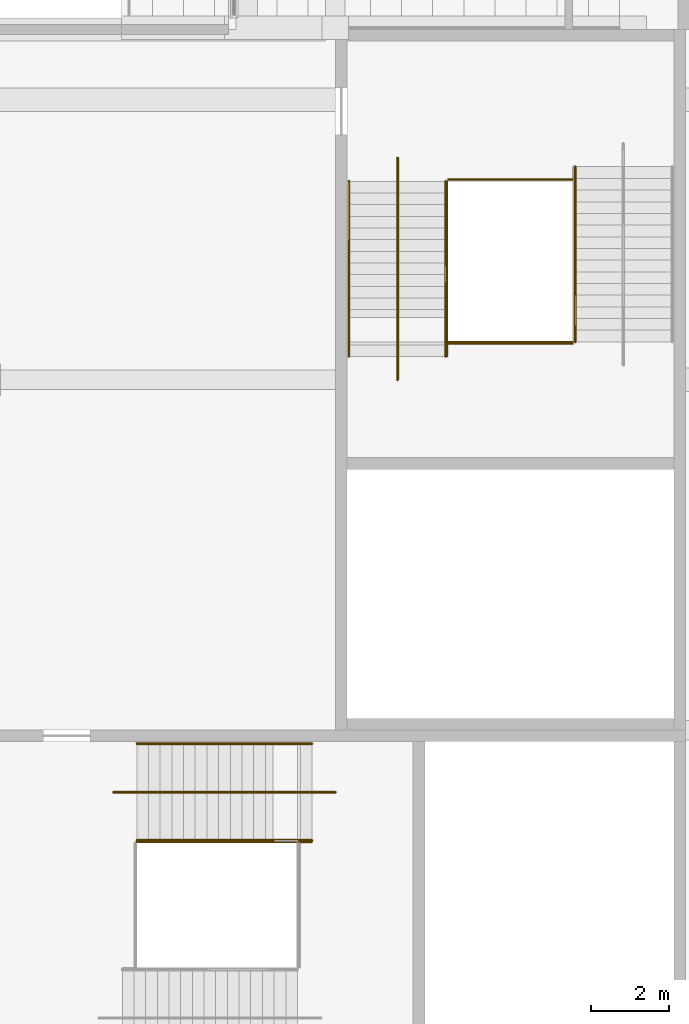
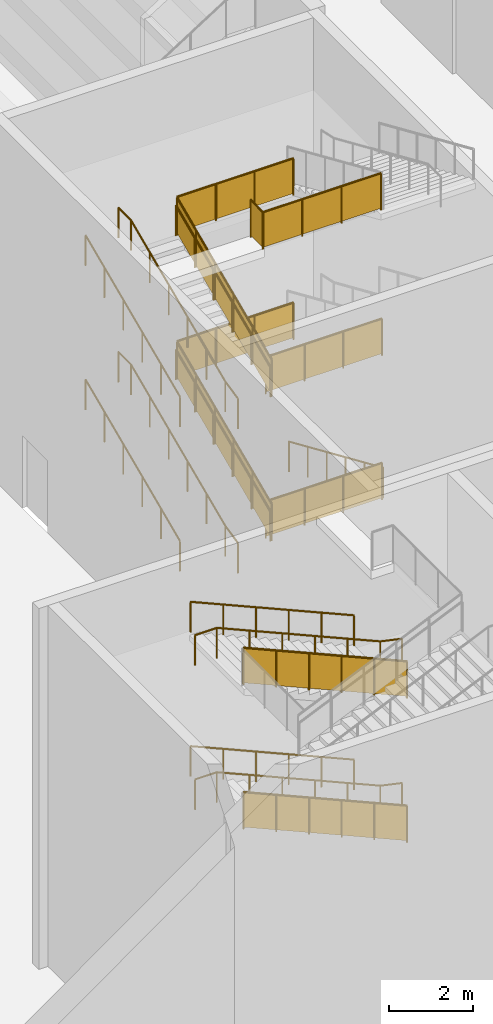
# One storey, part 160 of 182: 21 railings.
"""IFC4 building model written with IfcOpenShell, lengths in metres."""

from ifc_helpers import new_model, si_unit, direction, frame, origin, origin_2d, place, context, subcontext, project, spatial, polyline, circle, outline, extrude, material, type_object, element, save


model = new_model("IFC4")

# Units and contexts
model_context = context("Model", 3, precision=1e-05, world=origin(), true_north=direction((0.0, 1.0)))
body_context = subcontext(model_context, "Body", "Model", "MODEL_VIEW")
ifc_project = project(units=[si_unit("LENGTHUNIT", "METRE"), si_unit("AREAUNIT", "SQUARE_METRE"), si_unit("VOLUMEUNIT", "CUBIC_METRE"), si_unit("PLANEANGLEUNIT", "RADIAN"), si_unit("MASSUNIT", "GRAM", prefix="KILO")], contexts=[model_context])

# Site, building, storey
site_placement = place(None, origin())
site = spatial("IfcSite", under=ifc_project, at=site_placement, CompositionType="ELEMENT")
building_placement = place(site_placement, origin())
building = spatial("IfcBuilding", under=site, at=building_placement, Name="Silverbay Arena", CompositionType="ELEMENT")
storey_placement = place(building_placement, frame((0.0, 0.0, 11.5)))
storey = spatial("IfcBuildingStorey", under=building, at=storey_placement, Name="L02", CompositionType="ELEMENT", Elevation=11.5)

# Railings
ifc_material_1 = material(Name="Stainless steel", Category="steel")
railing_type_1 = type_object("IfcRailingType", Name="Stair guard 1100", PredefinedType="GUARDRAIL", material=ifc_material_1)
railing_1_placement = place(storey_placement, frame((179.39990234375, 42.125, 2.231201171875)))
element("IfcRailing", 1, at=railing_1_placement, inside=storey, type_object=railing_type_1, Name="Stair ST-SE1 L02 to L03 flight 2 guard right", PredefinedType="GUARDRAIL", context=body_context, shape_type="SweptSolid", body=[
    extrude(circle(Radius=0.02392578125, at=origin_2d()), frame((0.0, 0.0, 1.076171875), z_axis=(-0.916157334902, 0.0, 0.40081883402), x_axis=(0.0, -1.0, 0.0)), (0.0, 0.0, 1.0), 4.911865234375),
    extrude(outline(polyline([(-0.008056640625, 0.04638671875), (0.907958984375, 0.447265625), (0.907958984375, 1.4501953125), (-0.008056640625, 1.049560546875), (-0.008056640625, 0.04638671875)])), frame((0.0, -0.0029296875, 0.0), z_axis=(0.0, 1.0, 0.0), x_axis=(-1.0, 0.0, 0.0)), (0.0, 0.0, 1.0), 0.006103515625),
    extrude(outline(polyline([(-0.008056640625, 0.440185546875), (0.907958984375, 0.841064453125), (0.907958984375, 1.843994140625), (-0.008056640625, 1.443359375), (-0.008056640625, 0.440185546875)])), frame((-0.89990234375, -0.0029296875, 0.0), z_axis=(0.0, 1.0, 0.0), x_axis=(-1.0, 0.0, 0.0)), (0.0, 0.0, 1.0), 0.006103515625),
    extrude(outline(polyline([(-0.008056640625, 0.833984375), (0.907958984375, 1.23486328125), (0.907958984375, 2.23779296875), (-0.008056640625, 1.8369140625), (-0.008056640625, 0.833984375)])), frame((-1.800048828125, -0.0029296875, 0.0), z_axis=(0.0, 1.0, 0.0), x_axis=(-1.0, 0.0, 0.0)), (0.0, 0.0, 1.0), 0.006103515625),
    extrude(outline(polyline([(-0.008056640625, 1.227783203125), (0.907958984375, 1.62841796875), (0.907958984375, 2.631591796875), (-0.008056640625, 2.230712890625), (-0.008056640625, 1.227783203125)])), frame((-2.699951171875, -0.0029296875, 0.0), z_axis=(0.0, 1.0, 0.0), x_axis=(-1.0, 0.0, 0.0)), (0.0, 0.0, 1.0), 0.006103515625),
    extrude(outline(polyline([(-0.008056640625, 1.62158203125), (0.907958984375, 2.022216796875), (0.907958984375, 3.025146484375), (-0.008056640625, 2.62451171875), (-0.008056640625, 1.62158203125)])), frame((-3.60009765625, -0.0029296875, 0.0), z_axis=(0.0, 1.0, 0.0), x_axis=(-1.0, 0.0, 0.0)), (0.0, 0.0, 1.0), 0.006103515625),
    extrude(circle(Radius=0.02099609375, at=origin_2d()), origin(), (0.0, 0.0, 1.0), 1.052001953125),
    extrude(circle(Radius=0.02099609375, at=origin_2d()), frame((-0.89990234375, 0.0, 0.393798828125)), (0.0, 0.0, 1.0), 1.052001953125),
    extrude(circle(Radius=0.02099609375, at=origin_2d()), frame((-1.800048828125, 0.0, 0.78759765625)), (0.0, 0.0, 1.0), 1.052001953125),
    extrude(circle(Radius=0.02099609375, at=origin_2d()), frame((-2.699951171875, 0.0, 1.18115234375)), (0.0, 0.0, 1.0), 1.052001953125),
    extrude(circle(Radius=0.02099609375, at=origin_2d()), frame((-3.60009765625, 0.0, 1.574951171875)), (0.0, 0.0, 1.0), 1.052001953125),
    extrude(circle(Radius=0.02099609375, at=origin_2d()), frame((-4.5, 0.0, 1.96875)), (0.0, 0.0, 1.0), 1.052001953125),
])
railing_2_placement = place(storey_placement, frame((179.39990234375, 42.125, 6.43115234375)))
element("IfcRailing", 2, at=railing_2_placement, inside=storey, type_object=railing_type_1, Name="Stair ST-SE1 L02 to L03 flight 4 guard right", PredefinedType="GUARDRAIL", context=body_context, shape_type="SweptSolid", body=[
    extrude(circle(Radius=0.02392578125, at=origin_2d()), frame((0.0, 0.0, 1.076171875), z_axis=(-0.916157334902, 0.0, 0.40081883402), x_axis=(0.0, -1.0, 0.0)), (0.0, 0.0, 1.0), 4.911865234375),
    extrude(outline(polyline([(-0.008056640625, 0.04638671875), (0.907958984375, 0.447265625), (0.907958984375, 1.4501953125), (-0.008056640625, 1.049560546875), (-0.008056640625, 0.04638671875)])), frame((0.0, -0.0029296875, 0.0), z_axis=(0.0, 1.0, 0.0), x_axis=(-1.0, 0.0, 0.0)), (0.0, 0.0, 1.0), 0.006103515625),
    extrude(outline(polyline([(-0.008056640625, 0.440185546875), (0.907958984375, 0.841064453125), (0.907958984375, 1.843994140625), (-0.008056640625, 1.443359375), (-0.008056640625, 0.440185546875)])), frame((-0.89990234375, -0.0029296875, 0.0), z_axis=(0.0, 1.0, 0.0), x_axis=(-1.0, 0.0, 0.0)), (0.0, 0.0, 1.0), 0.006103515625),
    extrude(outline(polyline([(-0.008056640625, 0.833984375), (0.907958984375, 1.23486328125), (0.907958984375, 2.23779296875), (-0.008056640625, 1.8369140625), (-0.008056640625, 0.833984375)])), frame((-1.800048828125, -0.0029296875, 0.0), z_axis=(0.0, 1.0, 0.0), x_axis=(-1.0, 0.0, 0.0)), (0.0, 0.0, 1.0), 0.006103515625),
    extrude(outline(polyline([(-0.008056640625, 1.227783203125), (0.907958984375, 1.62841796875), (0.907958984375, 2.631591796875), (-0.008056640625, 2.230712890625), (-0.008056640625, 1.227783203125)])), frame((-2.699951171875, -0.0029296875, 0.0), z_axis=(0.0, 1.0, 0.0), x_axis=(-1.0, 0.0, 0.0)), (0.0, 0.0, 1.0), 0.006103515625),
    extrude(outline(polyline([(-0.008056640625, 1.62158203125), (0.907958984375, 2.022216796875), (0.907958984375, 3.025146484375), (-0.008056640625, 2.62451171875), (-0.008056640625, 1.62158203125)])), frame((-3.60009765625, -0.0029296875, 0.0), z_axis=(0.0, 1.0, 0.0), x_axis=(-1.0, 0.0, 0.0)), (0.0, 0.0, 1.0), 0.006103515625),
    extrude(circle(Radius=0.02099609375, at=origin_2d()), origin(), (0.0, 0.0, 1.0), 1.052001953125),
    extrude(circle(Radius=0.02099609375, at=origin_2d()), frame((-0.89990234375, 0.0, 0.393798828125)), (0.0, 0.0, 1.0), 1.052001953125),
    extrude(circle(Radius=0.02099609375, at=origin_2d()), frame((-1.800048828125, 0.0, 0.78759765625)), (0.0, 0.0, 1.0), 1.052001953125),
    extrude(circle(Radius=0.02099609375, at=origin_2d()), frame((-2.699951171875, 0.0, 1.18115234375)), (0.0, 0.0, 1.0), 1.052001953125),
    extrude(circle(Radius=0.02099609375, at=origin_2d()), frame((-3.60009765625, 0.0, 1.574951171875)), (0.0, 0.0, 1.0), 1.052001953125),
    extrude(circle(Radius=0.02099609375, at=origin_2d()), frame((-4.5, 0.0, 1.96875)), (0.0, 0.0, 1.0), 1.052001953125),
])
railing_3_placement = place(storey_placement, frame((182.875, 54.60009765625, 2.231201171875)))
element("IfcRailing", 3, at=railing_3_placement, inside=storey, type_object=railing_type_1, Name="Stair ST-SE2 L02 to L03 flight 2 guard right", PredefinedType="GUARDRAIL", context=body_context, shape_type="SweptSolid", body=[
    extrude(circle(Radius=0.02392578125, at=origin_2d()), frame((0.0, 0.0, 1.076171875), z_axis=(0.0, 0.916157334902, 0.40081883402), x_axis=(-1.0, 0.0, 0.0)), (0.0, 0.0, 1.0), 4.911865234375),
    extrude(outline(polyline([(-0.008056640625, 0.04638671875), (0.907958984375, 0.447265625), (0.907958984375, 1.4501953125), (-0.008056640625, 1.049560546875), (-0.008056640625, 0.04638671875)])), frame((-0.0029296875, 0.0, 0.0), z_axis=(1.0, 0.0, 0.0), x_axis=(0.0, 1.0, 0.0)), (0.0, 0.0, 1.0), 0.006103515625),
    extrude(outline(polyline([(-0.008056640625, 0.440185546875), (0.907958984375, 0.841064453125), (0.907958984375, 1.843994140625), (-0.008056640625, 1.443359375), (-0.008056640625, 0.440185546875)])), frame((-0.0029296875, 0.89990234375, 0.0), z_axis=(1.0, 0.0, 0.0), x_axis=(0.0, 1.0, 0.0)), (0.0, 0.0, 1.0), 0.006103515625),
    extrude(outline(polyline([(-0.008056640625, 0.833984375), (0.907958984375, 1.23486328125), (0.907958984375, 2.23779296875), (-0.008056640625, 1.8369140625), (-0.008056640625, 0.833984375)])), frame((-0.0029296875, 1.800048828125, 0.0), z_axis=(1.0, 0.0, 0.0), x_axis=(0.0, 1.0, 0.0)), (0.0, 0.0, 1.0), 0.006103515625),
    extrude(outline(polyline([(-0.008056640625, 1.227783203125), (0.907958984375, 1.62841796875), (0.907958984375, 2.631591796875), (-0.008056640625, 2.230712890625), (-0.008056640625, 1.227783203125)])), frame((-0.0029296875, 2.699951171875, 0.0), z_axis=(1.0, 0.0, 0.0), x_axis=(0.0, 1.0, 0.0)), (0.0, 0.0, 1.0), 0.006103515625),
    extrude(outline(polyline([(-0.008056640625, 1.62158203125), (0.907958984375, 2.022216796875), (0.907958984375, 3.025146484375), (-0.008056640625, 2.62451171875), (-0.008056640625, 1.62158203125)])), frame((-0.0029296875, 3.60009765625, 0.0), z_axis=(1.0, 0.0, 0.0), x_axis=(0.0, 1.0, 0.0)), (0.0, 0.0, 1.0), 0.006103515625),
    extrude(circle(Radius=0.02099609375, at=origin_2d()), origin(), (0.0, 0.0, 1.0), 1.052001953125),
    extrude(circle(Radius=0.02099609375, at=origin_2d()), frame((0.0, 0.89990234375, 0.393798828125)), (0.0, 0.0, 1.0), 1.052001953125),
    extrude(circle(Radius=0.02099609375, at=origin_2d()), frame((0.0, 1.800048828125, 0.78759765625)), (0.0, 0.0, 1.0), 1.052001953125),
    extrude(circle(Radius=0.02099609375, at=origin_2d()), frame((0.0, 2.699951171875, 1.18115234375)), (0.0, 0.0, 1.0), 1.052001953125),
    extrude(circle(Radius=0.02099609375, at=origin_2d()), frame((0.0, 3.60009765625, 1.574951171875)), (0.0, 0.0, 1.0), 1.052001953125),
    extrude(circle(Radius=0.02099609375, at=origin_2d()), frame((0.0, 4.5, 1.96875)), (0.0, 0.0, 1.0), 1.052001953125),
])
railing_4_placement = place(storey_placement, frame((182.875, 54.60009765625, 6.43115234375)))
element("IfcRailing", 4, at=railing_4_placement, inside=storey, type_object=railing_type_1, Name="Stair ST-SE2 L02 to L03 flight 4 guard right", PredefinedType="GUARDRAIL", context=body_context, shape_type="SweptSolid", body=[
    extrude(circle(Radius=0.02392578125, at=origin_2d()), frame((0.0, 0.0, 1.076171875), z_axis=(0.0, 0.916157334902, 0.40081883402), x_axis=(-1.0, 0.0, 0.0)), (0.0, 0.0, 1.0), 4.911865234375),
    extrude(outline(polyline([(-0.008056640625, 0.04638671875), (0.907958984375, 0.447265625), (0.907958984375, 1.4501953125), (-0.008056640625, 1.049560546875), (-0.008056640625, 0.04638671875)])), frame((-0.0029296875, 0.0, 0.0), z_axis=(1.0, 0.0, 0.0), x_axis=(0.0, 1.0, 0.0)), (0.0, 0.0, 1.0), 0.006103515625),
    extrude(outline(polyline([(-0.008056640625, 0.440185546875), (0.907958984375, 0.841064453125), (0.907958984375, 1.843994140625), (-0.008056640625, 1.443359375), (-0.008056640625, 0.440185546875)])), frame((-0.0029296875, 0.89990234375, 0.0), z_axis=(1.0, 0.0, 0.0), x_axis=(0.0, 1.0, 0.0)), (0.0, 0.0, 1.0), 0.006103515625),
    extrude(outline(polyline([(-0.008056640625, 0.833984375), (0.907958984375, 1.23486328125), (0.907958984375, 2.23779296875), (-0.008056640625, 1.8369140625), (-0.008056640625, 0.833984375)])), frame((-0.0029296875, 1.800048828125, 0.0), z_axis=(1.0, 0.0, 0.0), x_axis=(0.0, 1.0, 0.0)), (0.0, 0.0, 1.0), 0.006103515625),
    extrude(outline(polyline([(-0.008056640625, 1.227783203125), (0.907958984375, 1.62841796875), (0.907958984375, 2.631591796875), (-0.008056640625, 2.230712890625), (-0.008056640625, 1.227783203125)])), frame((-0.0029296875, 2.699951171875, 0.0), z_axis=(1.0, 0.0, 0.0), x_axis=(0.0, 1.0, 0.0)), (0.0, 0.0, 1.0), 0.006103515625),
    extrude(outline(polyline([(-0.008056640625, 1.62158203125), (0.907958984375, 2.022216796875), (0.907958984375, 3.025146484375), (-0.008056640625, 2.62451171875), (-0.008056640625, 1.62158203125)])), frame((-0.0029296875, 3.60009765625, 0.0), z_axis=(1.0, 0.0, 0.0), x_axis=(0.0, 1.0, 0.0)), (0.0, 0.0, 1.0), 0.006103515625),
    extrude(circle(Radius=0.02099609375, at=origin_2d()), origin(), (0.0, 0.0, 1.0), 1.052001953125),
    extrude(circle(Radius=0.02099609375, at=origin_2d()), frame((0.0, 0.89990234375, 0.393798828125)), (0.0, 0.0, 1.0), 1.052001953125),
    extrude(circle(Radius=0.02099609375, at=origin_2d()), frame((0.0, 1.800048828125, 0.78759765625)), (0.0, 0.0, 1.0), 1.052001953125),
    extrude(circle(Radius=0.02099609375, at=origin_2d()), frame((0.0, 2.699951171875, 1.18115234375)), (0.0, 0.0, 1.0), 1.052001953125),
    extrude(circle(Radius=0.02099609375, at=origin_2d()), frame((0.0, 3.60009765625, 1.574951171875)), (0.0, 0.0, 1.0), 1.052001953125),
    extrude(circle(Radius=0.02099609375, at=origin_2d()), frame((0.0, 4.5, 1.96875)), (0.0, 0.0, 1.0), 1.052001953125),
])
for number, where, name in (
    (5, (182.89990234375, 54.92431640625, 2.10009765625), "Stair ST-SE2 L02 to L03 landing 1 guard"),
    (6, (182.89990234375, 59.14990234375, 4.199951171875), "Stair ST-SE2 L02 to L03 landing 2 guard"),
    (7, (182.89990234375, 54.92431640625, 6.300048828125), "Stair ST-SE2 L02 to L03 landing 3 guard"),
    (8, (182.89990234375, 59.14990234375, 8.39990234375), "Stair ST-SE2 L02 to L03 landing 4 guard"),
):
    element("IfcRailing", number, at=place(storey_placement, frame(where)), inside=storey, type_object=railing_type_1, Name=name, PredefinedType="GUARDRAIL", context=body_context, shape_type="SweptSolid", body=[
        extrude(circle(Radius=0.02392578125, at=origin_2d()), frame((0.0, 0.0, 1.076171875), z_axis=(1.0, 0.0, 0.0), x_axis=(0.0, 1.0, 0.0)), (0.0, 0.0, 1.0), 3.2001953125),
        extrude(outline(polyline([(-0.008056640625, 0.050048828125), (1.07470703125, 0.050048828125), (1.07470703125, 1.052978515625), (-0.008056640625, 1.052978515625), (-0.008056640625, 0.050048828125)])), frame((0.0, 0.0029296875, 0.0), z_axis=(0.0, -1.0, 0.0), x_axis=(1.0, 0.0, 0.0)), (0.0, 0.0, 1.0), 0.006103515625),
        extrude(outline(polyline([(-0.008056640625, 0.050048828125), (1.07470703125, 0.050048828125), (1.07470703125, 1.052978515625), (-0.008056640625, 1.052978515625), (-0.008056640625, 0.050048828125)])), frame((1.066650390625, 0.0029296875, 0.0), z_axis=(0.0, -1.0, 0.0), x_axis=(1.0, 0.0, 0.0)), (0.0, 0.0, 1.0), 0.006103515625),
        extrude(outline(polyline([(-0.008056640625, 0.050048828125), (1.07470703125, 0.050048828125), (1.07470703125, 1.052978515625), (-0.008056640625, 1.052978515625), (-0.008056640625, 0.050048828125)])), frame((2.133544921875, 0.0029296875, 0.0), z_axis=(0.0, -1.0, 0.0), x_axis=(1.0, 0.0, 0.0)), (0.0, 0.0, 1.0), 0.006103515625),
        extrude(circle(Radius=0.02099609375, at=origin_2d()), origin(), (0.0, 0.0, 1.0), 1.052001953125),
        extrude(circle(Radius=0.02099609375, at=origin_2d()), frame((1.066650390625, 0.0, 0.0)), (0.0, 0.0, 1.0), 1.052001953125),
        extrude(circle(Radius=0.02099609375, at=origin_2d()), frame((2.133544921875, 0.0, 0.0)), (0.0, 0.0, 1.0), 1.052001953125),
        extrude(circle(Radius=0.02099609375, at=origin_2d()), frame((3.2001953125, 0.0, 0.0)), (0.0, 0.0, 1.0), 1.052001953125),
    ])
railing_5_placement = place(storey_placement, frame((182.85009765625, 55.550048828125, 10.5)))
element("IfcRailing", 9, at=railing_5_placement, inside=storey, type_object=railing_type_1, Name="Stair ST-SE2 L02 to L03 landing 5 guard", PredefinedType="GUARDRAIL", context=body_context, shape_type="SweptSolid", body=[
    extrude(circle(Radius=0.02392578125, at=origin_2d()), frame((0.0, 0.0, 1.076171875), z_axis=(0.0, -1.0, 0.0), x_axis=(1.0, 0.0, 0.0)), (0.0, 0.0, 1.0), 0.575927734375),
    extrude(outline(polyline([(-0.008056640625, 0.050048828125), (0.583984375, 0.050048828125), (0.583984375, 1.052978515625), (-0.008056640625, 1.052978515625), (-0.008056640625, 0.050048828125)])), frame((0.0029296875, 0.0, 0.0), z_axis=(-1.0, 0.0, 0.0), x_axis=(0.0, -1.0, 0.0)), (0.0, 0.0, 1.0), 0.006103515625),
    extrude(circle(Radius=0.02392578125, at=origin_2d()), frame((0.0, -0.575927734375, 1.076171875), z_axis=(1.0, 0.0, 0.0), x_axis=(0.0, 1.0, 0.0)), (0.0, 0.0, 1.0), 3.25),
    extrude(outline(polyline([(-0.008056640625, 0.050048828125), (1.09130859375, 0.050048828125), (1.09130859375, 1.052978515625), (-0.008056640625, 1.052978515625), (-0.008056640625, 0.050048828125)])), frame((0.0, -0.572998046875, 0.0), z_axis=(0.0, -1.0, 0.0), x_axis=(1.0, 0.0, 0.0)), (0.0, 0.0, 1.0), 0.006103515625),
    extrude(outline(polyline([(-0.008056640625, 0.050048828125), (1.09130859375, 0.050048828125), (1.09130859375, 1.052978515625), (-0.008056640625, 1.052978515625), (-0.008056640625, 0.050048828125)])), frame((1.083251953125, -0.572998046875, 0.0), z_axis=(0.0, -1.0, 0.0), x_axis=(1.0, 0.0, 0.0)), (0.0, 0.0, 1.0), 0.006103515625),
    extrude(outline(polyline([(-0.008056640625, 0.050048828125), (1.09130859375, 0.050048828125), (1.09130859375, 1.052978515625), (-0.008056640625, 1.052978515625), (-0.008056640625, 0.050048828125)])), frame((2.166748046875, -0.572998046875, 0.0), z_axis=(0.0, -1.0, 0.0), x_axis=(1.0, 0.0, 0.0)), (0.0, 0.0, 1.0), 0.006103515625),
    extrude(circle(Radius=0.02099609375, at=origin_2d()), origin(), (0.0, 0.0, 1.0), 1.052001953125),
    extrude(circle(Radius=0.02099609375, at=origin_2d()), frame((0.0, -0.575927734375, 0.0)), (0.0, 0.0, 1.0), 1.052001953125),
    extrude(circle(Radius=0.02099609375, at=origin_2d()), frame((1.083251953125, -0.575927734375, 0.0)), (0.0, 0.0, 1.0), 1.052001953125),
    extrude(circle(Radius=0.02099609375, at=origin_2d()), frame((2.166748046875, -0.575927734375, 0.0)), (0.0, 0.0, 1.0), 1.052001953125),
    extrude(circle(Radius=0.02099609375, at=origin_2d()), frame((3.25, -0.575927734375, 0.0)), (0.0, 0.0, 1.0), 1.052001953125),
])
ifc_material_2 = material(Name="Stainless steel", Category="steel")
railing_type_2 = type_object("IfcRailingType", Name="Stair handrail 900", PredefinedType="HANDRAIL", material=ifc_material_2)
railing_6_placement = place(storey_placement, frame((179.39990234375, 44.64990234375, 2.231201171875)))
element("IfcRailing", 10, at=railing_6_placement, inside=storey, type_object=railing_type_2, Name="Stair ST-SE1 L02 to L03 flight 2 handrail left", PredefinedType="HANDRAIL", context=body_context, shape_type="SweptSolid", body=[
    extrude(circle(Radius=0.02392578125, at=origin_2d()), frame((0.0, 0.0, 0.8759765625), z_axis=(-0.916157334902, 0.0, 0.40081883402), x_axis=(0.0, -1.0, 0.0)), (0.0, 0.0, 1.0), 4.911865234375),
    extrude(circle(Radius=0.02099609375, at=origin_2d()), origin(), (0.0, 0.0, 1.0), 0.851806640625),
    extrude(circle(Radius=0.02099609375, at=origin_2d()), frame((-0.89990234375, 0.0, 0.393798828125)), (0.0, 0.0, 1.0), 0.851806640625),
    extrude(circle(Radius=0.02099609375, at=origin_2d()), frame((-1.800048828125, 0.0, 0.78759765625)), (0.0, 0.0, 1.0), 0.851806640625),
    extrude(circle(Radius=0.02099609375, at=origin_2d()), frame((-2.699951171875, 0.0, 1.18115234375)), (0.0, 0.0, 1.0), 0.851806640625),
    extrude(circle(Radius=0.02099609375, at=origin_2d()), frame((-3.60009765625, 0.0, 1.574951171875)), (0.0, 0.0, 1.0), 0.851806640625),
    extrude(circle(Radius=0.02099609375, at=origin_2d()), frame((-4.5, 0.0, 1.96875)), (0.0, 0.0, 1.0), 0.851806640625),
])
railing_7_placement = place(storey_placement, frame((180.0, 43.39990234375, 2.10009765625)))
element("IfcRailing", 11, at=railing_7_placement, inside=storey, type_object=railing_type_2, Name="Stair ST-SE1 L02 to L03 flight 2 central handrail", PredefinedType="HANDRAIL", context=body_context, shape_type="SweptSolid", body=[
    extrude(circle(Radius=0.02392578125, at=origin_2d()), frame((0.0, 0.0, 0.8759765625), z_axis=(-0.976957027196, 0.0, 0.213436095852), x_axis=(0.0, -1.0, 0.0)), (0.0, 0.0, 1.0), 0.6142578125),
    extrude(circle(Radius=0.02392578125, at=origin_2d()), frame((-0.60009765625, 0.0, 1.0068359375), z_axis=(-0.916157334902, 0.0, 0.40081883402), x_axis=(0.0, -1.0, 0.0)), (0.0, 0.0, 1.0), 4.911865234375),
    extrude(circle(Radius=0.02392578125, at=origin_2d()), frame((-5.10009765625, 0.0, 2.9755859375), z_axis=(-1.0, 0.0, 0.0), x_axis=(0.0, -1.0, 0.0)), (0.0, 0.0, 1.0), 0.599853515625),
    extrude(circle(Radius=0.02099609375, at=origin_2d()), origin(), (0.0, 0.0, 1.0), 0.851806640625),
    extrude(circle(Radius=0.02099609375, at=origin_2d()), frame((-0.60009765625, 0.0, 0.131103515625)), (0.0, 0.0, 1.0), 0.851806640625),
    extrude(circle(Radius=0.02099609375, at=origin_2d()), frame((-1.5, 0.0, 0.52490234375)), (0.0, 0.0, 1.0), 0.851806640625),
    extrude(circle(Radius=0.02099609375, at=origin_2d()), frame((-2.400146484375, 0.0, 0.918701171875)), (0.0, 0.0, 1.0), 0.851806640625),
    extrude(circle(Radius=0.02099609375, at=origin_2d()), frame((-3.300048828125, 0.0, 1.312255859375)), (0.0, 0.0, 1.0), 0.851806640625),
    extrude(circle(Radius=0.02099609375, at=origin_2d()), frame((-4.2001953125, 0.0, 1.7060546875)), (0.0, 0.0, 1.0), 0.851806640625),
    extrude(circle(Radius=0.02099609375, at=origin_2d()), frame((-5.10009765625, 0.0, 2.099853515625)), (0.0, 0.0, 1.0), 0.851806640625),
    extrude(circle(Radius=0.02099609375, at=origin_2d()), frame((-5.699951171875, 0.0, 2.099853515625)), (0.0, 0.0, 1.0), 0.851806640625),
])
for number, where, name in (
    (12, (179.39990234375, 44.64990234375, 6.43115234375), "Stair ST-SE1 L02 to L03 flight 4 handrail left"),
    (13, (179.39990234375, 42.1640625, 6.43115234375), "Stair ST-SE1 L02 to L03 flight 4 handrail right"),
):
    element("IfcRailing", number, at=place(storey_placement, frame(where)), inside=storey, type_object=railing_type_2, Name=name, PredefinedType="HANDRAIL", context=body_context, shape_type="SweptSolid", body=[
        extrude(circle(Radius=0.02392578125, at=origin_2d()), frame((0.0, 0.0, 0.8759765625), z_axis=(-0.916157334902, 0.0, 0.40081883402), x_axis=(0.0, -1.0, 0.0)), (0.0, 0.0, 1.0), 4.911865234375),
        extrude(circle(Radius=0.02099609375, at=origin_2d()), origin(), (0.0, 0.0, 1.0), 0.851806640625),
        extrude(circle(Radius=0.02099609375, at=origin_2d()), frame((-0.89990234375, 0.0, 0.393798828125)), (0.0, 0.0, 1.0), 0.851806640625),
        extrude(circle(Radius=0.02099609375, at=origin_2d()), frame((-1.800048828125, 0.0, 0.78759765625)), (0.0, 0.0, 1.0), 0.851806640625),
        extrude(circle(Radius=0.02099609375, at=origin_2d()), frame((-2.699951171875, 0.0, 1.18115234375)), (0.0, 0.0, 1.0), 0.851806640625),
        extrude(circle(Radius=0.02099609375, at=origin_2d()), frame((-3.60009765625, 0.0, 1.574951171875)), (0.0, 0.0, 1.0), 0.851806640625),
        extrude(circle(Radius=0.02099609375, at=origin_2d()), frame((-4.5, 0.0, 1.96875)), (0.0, 0.0, 1.0), 0.851806640625),
    ])
railing_8_placement = place(storey_placement, frame((180.0, 43.39990234375, 6.300048828125)))
element("IfcRailing", 14, at=railing_8_placement, inside=storey, type_object=railing_type_2, Name="Stair ST-SE1 L02 to L03 flight 4 central handrail", PredefinedType="HANDRAIL", context=body_context, shape_type="SweptSolid", body=[
    extrude(circle(Radius=0.02392578125, at=origin_2d()), frame((0.0, 0.0, 0.8759765625), z_axis=(-0.976957027196, 0.0, 0.213436095852), x_axis=(0.0, -1.0, 0.0)), (0.0, 0.0, 1.0), 0.6142578125),
    extrude(circle(Radius=0.02392578125, at=origin_2d()), frame((-0.60009765625, 0.0, 1.0068359375), z_axis=(-0.916157334902, 0.0, 0.40081883402), x_axis=(0.0, -1.0, 0.0)), (0.0, 0.0, 1.0), 4.911865234375),
    extrude(circle(Radius=0.02392578125, at=origin_2d()), frame((-5.10009765625, 0.0, 2.9755859375), z_axis=(-1.0, 0.0, 0.0), x_axis=(0.0, -1.0, 0.0)), (0.0, 0.0, 1.0), 0.599853515625),
    extrude(circle(Radius=0.02099609375, at=origin_2d()), origin(), (0.0, 0.0, 1.0), 0.851806640625),
    extrude(circle(Radius=0.02099609375, at=origin_2d()), frame((-0.60009765625, 0.0, 0.131103515625)), (0.0, 0.0, 1.0), 0.851806640625),
    extrude(circle(Radius=0.02099609375, at=origin_2d()), frame((-1.5, 0.0, 0.52490234375)), (0.0, 0.0, 1.0), 0.851806640625),
    extrude(circle(Radius=0.02099609375, at=origin_2d()), frame((-2.400146484375, 0.0, 0.918701171875)), (0.0, 0.0, 1.0), 0.851806640625),
    extrude(circle(Radius=0.02099609375, at=origin_2d()), frame((-3.300048828125, 0.0, 1.312255859375)), (0.0, 0.0, 1.0), 0.851806640625),
    extrude(circle(Radius=0.02099609375, at=origin_2d()), frame((-4.2001953125, 0.0, 1.7060546875)), (0.0, 0.0, 1.0), 0.851806640625),
    extrude(circle(Radius=0.02099609375, at=origin_2d()), frame((-5.10009765625, 0.0, 2.099853515625)), (0.0, 0.0, 1.0), 0.851806640625),
    extrude(circle(Radius=0.02099609375, at=origin_2d()), frame((-5.699951171875, 0.0, 2.099853515625)), (0.0, 0.0, 1.0), 0.851806640625),
])
railing_9_placement = place(storey_placement, frame((186.1640625, 59.47412109375, 0.13134765625)))
element("IfcRailing", 15, at=railing_9_placement, inside=storey, type_object=railing_type_2, Name="Stair ST-SE2 L02 to L03 flight 1 handrail left", PredefinedType="HANDRAIL", context=body_context, shape_type="SweptSolid", body=[
    extrude(circle(Radius=0.02392578125, at=origin_2d()), frame((0.0, 0.0, 0.8759765625), z_axis=(0.0, -0.916157334902, 0.40081883402), x_axis=(1.0, 0.0, 0.0)), (0.0, 0.0, 1.0), 4.911865234375),
    extrude(circle(Radius=0.02099609375, at=origin_2d()), origin(), (0.0, 0.0, 1.0), 0.851806640625),
    extrude(circle(Radius=0.02099609375, at=origin_2d()), frame((0.0, -0.89990234375, 0.393798828125)), (0.0, 0.0, 1.0), 0.851806640625),
    extrude(circle(Radius=0.02099609375, at=origin_2d()), frame((0.0, -1.800048828125, 0.78759765625)), (0.0, 0.0, 1.0), 0.851806640625),
    extrude(circle(Radius=0.02099609375, at=origin_2d()), frame((0.0, -2.699951171875, 1.18115234375)), (0.0, 0.0, 1.0), 0.851806640625),
    extrude(circle(Radius=0.02099609375, at=origin_2d()), frame((0.0, -3.60009765625, 1.574951171875)), (0.0, 0.0, 1.0), 0.851806640625),
    extrude(circle(Radius=0.02099609375, at=origin_2d()), frame((0.0, -4.5, 1.96875)), (0.0, 0.0, 1.0), 0.851806640625),
])
for number, where, name in (
    (16, (180.35009765625, 54.60009765625, 2.231201171875), "Stair ST-SE2 L02 to L03 flight 2 handrail left"),
    (17, (182.8359375, 54.60009765625, 2.231201171875), "Stair ST-SE2 L02 to L03 flight 2 handrail right"),
):
    element("IfcRailing", number, at=place(storey_placement, frame(where)), inside=storey, type_object=railing_type_2, Name=name, PredefinedType="HANDRAIL", context=body_context, shape_type="SweptSolid", body=[
        extrude(circle(Radius=0.02392578125, at=origin_2d()), frame((0.0, 0.0, 0.8759765625), z_axis=(0.0, 0.916157334902, 0.40081883402), x_axis=(-1.0, 0.0, 0.0)), (0.0, 0.0, 1.0), 4.911865234375),
        extrude(circle(Radius=0.02099609375, at=origin_2d()), origin(), (0.0, 0.0, 1.0), 0.851806640625),
        extrude(circle(Radius=0.02099609375, at=origin_2d()), frame((0.0, 0.89990234375, 0.393798828125)), (0.0, 0.0, 1.0), 0.851806640625),
        extrude(circle(Radius=0.02099609375, at=origin_2d()), frame((0.0, 1.800048828125, 0.78759765625)), (0.0, 0.0, 1.0), 0.851806640625),
        extrude(circle(Radius=0.02099609375, at=origin_2d()), frame((0.0, 2.699951171875, 1.18115234375)), (0.0, 0.0, 1.0), 0.851806640625),
        extrude(circle(Radius=0.02099609375, at=origin_2d()), frame((0.0, 3.60009765625, 1.574951171875)), (0.0, 0.0, 1.0), 0.851806640625),
        extrude(circle(Radius=0.02099609375, at=origin_2d()), frame((0.0, 4.5, 1.96875)), (0.0, 0.0, 1.0), 0.851806640625),
    ])
railing_10_placement = place(storey_placement, frame((181.60009765625, 54.0, 2.10009765625)))
element("IfcRailing", 18, at=railing_10_placement, inside=storey, type_object=railing_type_2, Name="Stair ST-SE2 L02 to L03 flight 2 central handrail", PredefinedType="HANDRAIL", context=body_context, shape_type="SweptSolid", body=[
    extrude(circle(Radius=0.02392578125, at=origin_2d()), frame((0.0, 0.0, 0.8759765625), z_axis=(0.0, 0.976957027196, 0.213436095852), x_axis=(-1.0, 0.0, 0.0)), (0.0, 0.0, 1.0), 0.6142578125),
    extrude(circle(Radius=0.02392578125, at=origin_2d()), frame((0.0, 0.60009765625, 1.0068359375), z_axis=(0.0, 0.916157334902, 0.40081883402), x_axis=(-1.0, 0.0, 0.0)), (0.0, 0.0, 1.0), 4.911865234375),
    extrude(circle(Radius=0.02392578125, at=origin_2d()), frame((0.0, 5.10009765625, 2.9755859375), z_axis=(0.0, 1.0, 0.0), x_axis=(-1.0, 0.0, 0.0)), (0.0, 0.0, 1.0), 0.599853515625),
    extrude(circle(Radius=0.02099609375, at=origin_2d()), origin(), (0.0, 0.0, 1.0), 0.851806640625),
    extrude(circle(Radius=0.02099609375, at=origin_2d()), frame((0.0, 0.60009765625, 0.131103515625)), (0.0, 0.0, 1.0), 0.851806640625),
    extrude(circle(Radius=0.02099609375, at=origin_2d()), frame((0.0, 1.5, 0.52490234375)), (0.0, 0.0, 1.0), 0.851806640625),
    extrude(circle(Radius=0.02099609375, at=origin_2d()), frame((0.0, 2.400146484375, 0.918701171875)), (0.0, 0.0, 1.0), 0.851806640625),
    extrude(circle(Radius=0.02099609375, at=origin_2d()), frame((0.0, 3.300048828125, 1.312255859375)), (0.0, 0.0, 1.0), 0.851806640625),
    extrude(circle(Radius=0.02099609375, at=origin_2d()), frame((0.0, 4.2001953125, 1.7060546875)), (0.0, 0.0, 1.0), 0.851806640625),
    extrude(circle(Radius=0.02099609375, at=origin_2d()), frame((0.0, 5.10009765625, 2.099853515625)), (0.0, 0.0, 1.0), 0.851806640625),
    extrude(circle(Radius=0.02099609375, at=origin_2d()), frame((0.0, 5.699951171875, 2.099853515625)), (0.0, 0.0, 1.0), 0.851806640625),
])
for number, where, name in (
    (19, (180.35009765625, 54.60009765625, 6.43115234375), "Stair ST-SE2 L02 to L03 flight 4 handrail left"),
    (20, (182.8359375, 54.60009765625, 6.43115234375), "Stair ST-SE2 L02 to L03 flight 4 handrail right"),
):
    element("IfcRailing", number, at=place(storey_placement, frame(where)), inside=storey, type_object=railing_type_2, Name=name, PredefinedType="HANDRAIL", context=body_context, shape_type="SweptSolid", body=[
        extrude(circle(Radius=0.02392578125, at=origin_2d()), frame((0.0, 0.0, 0.8759765625), z_axis=(0.0, 0.916157334902, 0.40081883402), x_axis=(-1.0, 0.0, 0.0)), (0.0, 0.0, 1.0), 4.911865234375),
        extrude(circle(Radius=0.02099609375, at=origin_2d()), origin(), (0.0, 0.0, 1.0), 0.851806640625),
        extrude(circle(Radius=0.02099609375, at=origin_2d()), frame((0.0, 0.89990234375, 0.393798828125)), (0.0, 0.0, 1.0), 0.851806640625),
        extrude(circle(Radius=0.02099609375, at=origin_2d()), frame((0.0, 1.800048828125, 0.78759765625)), (0.0, 0.0, 1.0), 0.851806640625),
        extrude(circle(Radius=0.02099609375, at=origin_2d()), frame((0.0, 2.699951171875, 1.18115234375)), (0.0, 0.0, 1.0), 0.851806640625),
        extrude(circle(Radius=0.02099609375, at=origin_2d()), frame((0.0, 3.60009765625, 1.574951171875)), (0.0, 0.0, 1.0), 0.851806640625),
        extrude(circle(Radius=0.02099609375, at=origin_2d()), frame((0.0, 4.5, 1.96875)), (0.0, 0.0, 1.0), 0.851806640625),
    ])
railing_11_placement = place(storey_placement, frame((181.60009765625, 54.0, 6.300048828125)))
element("IfcRailing", 21, at=railing_11_placement, inside=storey, type_object=railing_type_2, Name="Stair ST-SE2 L02 to L03 flight 4 central handrail", PredefinedType="HANDRAIL", context=body_context, shape_type="SweptSolid", body=[
    extrude(circle(Radius=0.02392578125, at=origin_2d()), frame((0.0, 0.0, 0.8759765625), z_axis=(0.0, 0.976957027196, 0.213436095852), x_axis=(-1.0, 0.0, 0.0)), (0.0, 0.0, 1.0), 0.6142578125),
    extrude(circle(Radius=0.02392578125, at=origin_2d()), frame((0.0, 0.60009765625, 1.0068359375), z_axis=(0.0, 0.916157334902, 0.40081883402), x_axis=(-1.0, 0.0, 0.0)), (0.0, 0.0, 1.0), 4.911865234375),
    extrude(circle(Radius=0.02392578125, at=origin_2d()), frame((0.0, 5.10009765625, 2.9755859375), z_axis=(0.0, 1.0, 0.0), x_axis=(-1.0, 0.0, 0.0)), (0.0, 0.0, 1.0), 0.599853515625),
    extrude(circle(Radius=0.02099609375, at=origin_2d()), origin(), (0.0, 0.0, 1.0), 0.851806640625),
    extrude(circle(Radius=0.02099609375, at=origin_2d()), frame((0.0, 0.60009765625, 0.131103515625)), (0.0, 0.0, 1.0), 0.851806640625),
    extrude(circle(Radius=0.02099609375, at=origin_2d()), frame((0.0, 1.5, 0.52490234375)), (0.0, 0.0, 1.0), 0.851806640625),
    extrude(circle(Radius=0.02099609375, at=origin_2d()), frame((0.0, 2.400146484375, 0.918701171875)), (0.0, 0.0, 1.0), 0.851806640625),
    extrude(circle(Radius=0.02099609375, at=origin_2d()), frame((0.0, 3.300048828125, 1.312255859375)), (0.0, 0.0, 1.0), 0.851806640625),
    extrude(circle(Radius=0.02099609375, at=origin_2d()), frame((0.0, 4.2001953125, 1.7060546875)), (0.0, 0.0, 1.0), 0.851806640625),
    extrude(circle(Radius=0.02099609375, at=origin_2d()), frame((0.0, 5.10009765625, 2.099853515625)), (0.0, 0.0, 1.0), 0.851806640625),
    extrude(circle(Radius=0.02099609375, at=origin_2d()), frame((0.0, 5.699951171875, 2.099853515625)), (0.0, 0.0, 1.0), 0.851806640625),
])

save(model, "model.ifc")
